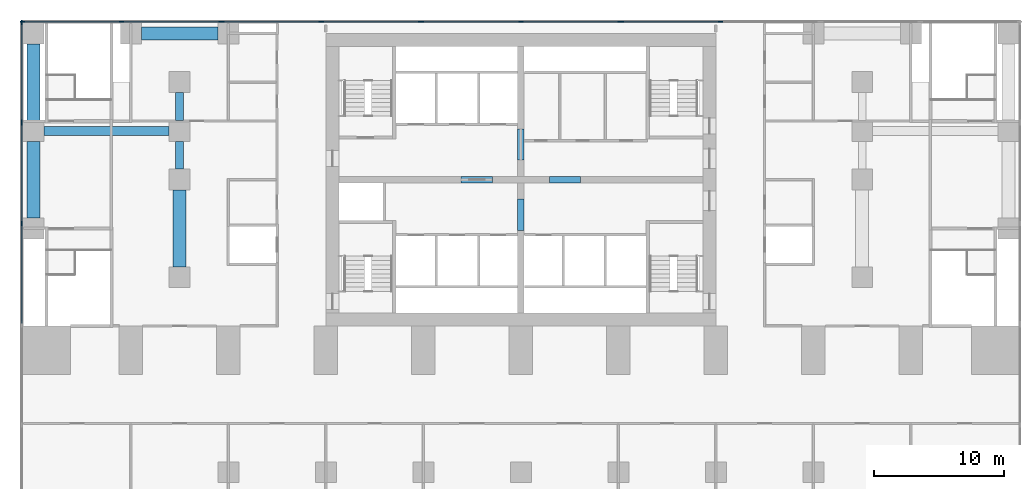
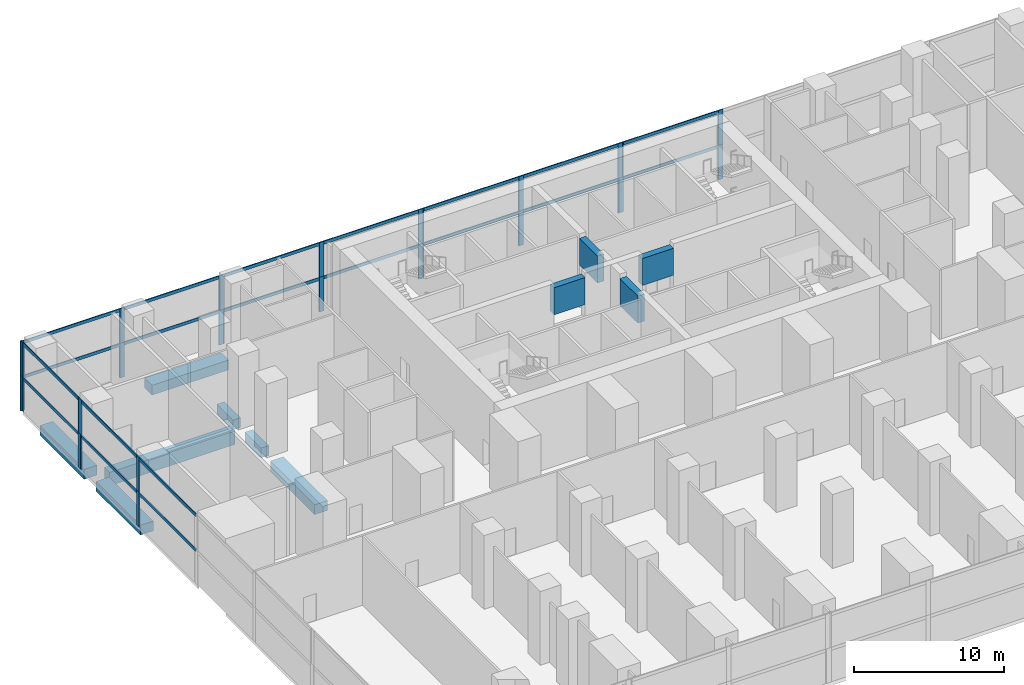
# One storey, part 4 of 14: 50 members, 11 beams, 12 elements without a shape of their own.
"""IFC4 building model written with IfcOpenShell, lengths in metres."""

from ifc_helpers import new_model, si_unit, direction, frame, origin, origin_2d, place, context, subcontext, project, spatial, rectangle, extrude, material, material_profile, profile_set, type_object, element, aggregate, save


model = new_model("IFC4")

# Units and contexts
model_context = context("Model", 3, precision=1e-05, world=origin(), true_north=direction((0.0, 1.0)))
body_context = subcontext(model_context, "Body", "Model", "MODEL_VIEW")
ifc_project = project(units=[si_unit("LENGTHUNIT", "METRE"), si_unit("AREAUNIT", "SQUARE_METRE"), si_unit("VOLUMEUNIT", "CUBIC_METRE"), si_unit("PLANEANGLEUNIT", "RADIAN"), si_unit("MASSUNIT", "GRAM", prefix="KILO")], contexts=[model_context])

# Site, building, storey
site_placement = place(None, origin())
site = spatial("IfcSite", under=ifc_project, at=site_placement, CompositionType="ELEMENT")
building_placement = place(site_placement, origin())
building = spatial("IfcBuilding", under=site, at=building_placement, Name="Pilkhan Gate Tower", CompositionType="ELEMENT")
storey_placement = place(building_placement, frame((0.0, 0.0, 24.0)))
storey = spatial("IfcBuildingStorey", under=building, at=storey_placement, Name="L03", CompositionType="ELEMENT", Elevation=24.0)

# Beams
ifc_material_1 = material(Name="Concrete C70/85", Category="concrete")
ifc_material_profile_1 = material_profile(ifc_material_1, rectangle(XDim=0.5, YDim=2.199951171875, at=origin_2d()), Name="RC 500x2200")
ifc_profile_set_1 = profile_set([ifc_material_profile_1], Name="Concrete C70/85")
beam_type_1 = type_object("IfcBeamType", Name="Coupling beam CB220 RC 500x2200 C70/85", PredefinedType="LINTEL", material=ifc_profile_set_1)
for number, where, z_axis, x_axis, name in (
    (1, (70.39990234375, 82.5, 4.550048828125), (1.0, 0.0, 0.0), (0.0, 1.0, 0.0), "Coupling beam 1 L03"),
    (2, (77.199951171875, 82.5, 4.550048828125), (1.0, 0.0, 0.0), (0.0, 1.0, 0.0), "Coupling beam 2 L03"),
):
    element("IfcBeam", number, at=place(storey_placement, frame(where, z_axis=z_axis, x_axis=x_axis)), inside=storey, type_object=beam_type_1, Name=name, PredefinedType="LINTEL", context=body_context, shape_type="SweptSolid", body=[
        extrude(rectangle(XDim=0.5, YDim=2.199951171875, at=origin_2d()), origin(), (0.0, 0.0, 1.0), 2.400146484375),
    ])
for number, where, z_axis, x_axis, name in (
    (3, (75.0, 78.60009765625, 4.550048828125), (0.0, 1.0, 0.0), (-1.0, 0.0, 0.0), "Coupling beam 3 L03"),
    (4, (75.0, 84.0, 4.550048828125), (0.0, 1.0, 0.0), (-1.0, 0.0, 0.0), "Coupling beam 4 L03"),
):
    element("IfcBeam", number, at=place(storey_placement, frame(where, z_axis=z_axis, x_axis=x_axis)), inside=storey, type_object=beam_type_1, Name=name, PredefinedType="LINTEL", context=body_context, shape_type="SweptSolid", body=[
        extrude(rectangle(XDim=0.5, YDim=2.199951171875, at=origin_2d()), origin(), (0.0, 0.0, 1.0), 2.39990234375),
    ])

# Curtain wall, members
ifc_material_2 = material(Name="Pale anodised aluminium, clear low-iron laminated glazing", Category="aluminium")
curtain_wall_type = type_object("IfcCurtainWallType", Name="Podium unitised curtain wall CW-P", PredefinedType="USERDEFINED", material=ifc_material_2)
curtain_wall_1_placement = place(storey_placement, origin())
curtain_wall_1 = element("IfcCurtainWall", 5, at=curtain_wall_1_placement, inside=storey, type_object=curtain_wall_type, Name="Podium unitised curtain wall CW-P L03 N", ObjectType="UNITISED CURTAIN WALL", PredefinedType="USERDEFINED")
ifc_material_3 = material(Name="Pale anodised aluminium", Category="aluminium")
ifc_material_profile_2 = material_profile(ifc_material_3, rectangle(XDim=0.080078125, YDim=0.35009765625, at=origin_2d()), Name="Mullion 350x80")
ifc_profile_set_2 = profile_set([ifc_material_profile_2], Name="Pale anodised aluminium")
member_type_1 = type_object("IfcMemberType", Name="Mullion CW-P 350x80", PredefinedType="MULLION", material=ifc_profile_set_2)
member_1_placement = place(storey_placement, frame((36.64501953125, 94.64501953125, 0.0), z_axis=(0.0, 0.0, 1.0), x_axis=(0.0, 1.0, 0.0)))
member_1 = element("IfcMember", 6, at=member_1_placement, type_object=member_type_1, Name="CW-P mullion 1", PredefinedType="MULLION", context=body_context, shape_type="SweptSolid", body=[
    extrude(rectangle(XDim=0.080078125, YDim=0.35009765625, at=origin_2d()), origin(), (0.0, 0.0, 1.0), 2.824951171875),
])
member_2_placement = place(storey_placement, frame((44.283935546875, 94.64501953125, 0.0), z_axis=(0.0, 0.0, 1.0), x_axis=(0.0, 1.0, 0.0)))
member_2 = element("IfcMember", 7, at=member_2_placement, type_object=member_type_1, Name="CW-P mullion 2", PredefinedType="MULLION", context=body_context, shape_type="SweptSolid", body=[
    extrude(rectangle(XDim=0.080078125, YDim=0.35009765625, at=origin_2d()), origin(), (0.0, 0.0, 1.0), 2.824951171875),
])
member_3_placement = place(storey_placement, frame((51.923095703125, 94.64501953125, 0.0), z_axis=(0.0, 0.0, 1.0), x_axis=(0.0, 1.0, 0.0)))
member_3 = element("IfcMember", 8, at=member_3_placement, type_object=member_type_1, Name="CW-P mullion 3", PredefinedType="MULLION", context=body_context, shape_type="SweptSolid", body=[
    extrude(rectangle(XDim=0.080078125, YDim=0.35009765625, at=origin_2d()), origin(), (0.0, 0.0, 1.0), 2.824951171875),
])

curtain_wall_2_placement = place(storey_placement, origin())
curtain_wall_2 = element("IfcCurtainWall", 9, at=curtain_wall_2_placement, inside=storey, type_object=curtain_wall_type, Name="Podium unitised curtain wall CW-P L03 N", ObjectType="UNITISED CURTAIN WALL", PredefinedType="USERDEFINED")
member_4_placement = place(storey_placement, frame((52.0029296875, 94.64501953125, 0.0), z_axis=(0.0, 0.0, 1.0), x_axis=(0.0, 1.0, 0.0)))
member_4 = element("IfcMember", 10, at=member_4_placement, type_object=member_type_1, Name="CW-P mullion 1", PredefinedType="MULLION", context=body_context, shape_type="SweptSolid", body=[
    extrude(rectangle(XDim=0.080078125, YDim=0.35009765625, at=origin_2d()), origin(), (0.0, 0.0, 1.0), 2.824951171875),
])
member_5_placement = place(storey_placement, frame((59.64208984375, 94.64501953125, 0.0), z_axis=(0.0, 0.0, 1.0), x_axis=(0.0, 1.0, 0.0)))
member_5 = element("IfcMember", 11, at=member_5_placement, type_object=member_type_1, Name="CW-P mullion 2", PredefinedType="MULLION", context=body_context, shape_type="SweptSolid", body=[
    extrude(rectangle(XDim=0.080078125, YDim=0.35009765625, at=origin_2d()), origin(), (0.0, 0.0, 1.0), 2.824951171875),
])
member_6_placement = place(storey_placement, frame((67.281005859375, 94.64501953125, 0.0), z_axis=(0.0, 0.0, 1.0), x_axis=(0.0, 1.0, 0.0)))
member_6 = element("IfcMember", 12, at=member_6_placement, type_object=member_type_1, Name="CW-P mullion 3", PredefinedType="MULLION", context=body_context, shape_type="SweptSolid", body=[
    extrude(rectangle(XDim=0.080078125, YDim=0.35009765625, at=origin_2d()), origin(), (0.0, 0.0, 1.0), 2.824951171875),
])

curtain_wall_3_placement = place(storey_placement, origin())
curtain_wall_3 = element("IfcCurtainWall", 13, at=curtain_wall_3_placement, inside=storey, type_object=curtain_wall_type, Name="Podium unitised curtain wall CW-P L03 N", ObjectType="UNITISED CURTAIN WALL", PredefinedType="USERDEFINED")
member_7_placement = place(storey_placement, frame((67.361083984375, 94.64501953125, 0.0), z_axis=(0.0, 0.0, 1.0), x_axis=(0.0, 1.0, 0.0)))
member_7 = element("IfcMember", 14, at=member_7_placement, type_object=member_type_1, Name="CW-P mullion 1", PredefinedType="MULLION", context=body_context, shape_type="SweptSolid", body=[
    extrude(rectangle(XDim=0.080078125, YDim=0.35009765625, at=origin_2d()), origin(), (0.0, 0.0, 1.0), 2.824951171875),
])
member_8_placement = place(storey_placement, frame((75.0, 94.64501953125, 0.0), z_axis=(0.0, 0.0, 1.0), x_axis=(0.0, 1.0, 0.0)))
member_8 = element("IfcMember", 15, at=member_8_placement, type_object=member_type_1, Name="CW-P mullion 2", PredefinedType="MULLION", context=body_context, shape_type="SweptSolid", body=[
    extrude(rectangle(XDim=0.080078125, YDim=0.35009765625, at=origin_2d()), origin(), (0.0, 0.0, 1.0), 2.824951171875),
])
member_9_placement = place(storey_placement, frame((82.638916015625, 94.64501953125, 0.0), z_axis=(0.0, 0.0, 1.0), x_axis=(0.0, 1.0, 0.0)))
member_9 = element("IfcMember", 16, at=member_9_placement, type_object=member_type_1, Name="CW-P mullion 3", PredefinedType="MULLION", context=body_context, shape_type="SweptSolid", body=[
    extrude(rectangle(XDim=0.080078125, YDim=0.35009765625, at=origin_2d()), origin(), (0.0, 0.0, 1.0), 2.824951171875),
])

curtain_wall_4_placement = place(storey_placement, origin())
curtain_wall_4 = element("IfcCurtainWall", 17, at=curtain_wall_4_placement, inside=storey, type_object=curtain_wall_type, Name="Podium unitised curtain wall CW-P L03 N", ObjectType="UNITISED CURTAIN WALL", PredefinedType="USERDEFINED")
member_10_placement = place(storey_placement, frame((82.718994140625, 94.64501953125, 0.0), z_axis=(0.0, 0.0, 1.0), x_axis=(0.0, 1.0, 0.0)))
member_10 = element("IfcMember", 18, at=member_10_placement, type_object=member_type_1, Name="CW-P mullion 1", PredefinedType="MULLION", context=body_context, shape_type="SweptSolid", body=[
    extrude(rectangle(XDim=0.080078125, YDim=0.35009765625, at=origin_2d()), origin(), (0.0, 0.0, 1.0), 2.824951171875),
])
member_11_placement = place(storey_placement, frame((90.35791015625, 94.64501953125, 0.0), z_axis=(0.0, 0.0, 1.0), x_axis=(0.0, 1.0, 0.0)))
member_11 = element("IfcMember", 19, at=member_11_placement, type_object=member_type_1, Name="CW-P mullion 2", PredefinedType="MULLION", context=body_context, shape_type="SweptSolid", body=[
    extrude(rectangle(XDim=0.080078125, YDim=0.35009765625, at=origin_2d()), origin(), (0.0, 0.0, 1.0), 2.824951171875),
])

curtain_wall_5_placement = place(storey_placement, origin())
curtain_wall_5 = element("IfcCurtainWall", 20, at=curtain_wall_5_placement, inside=storey, type_object=curtain_wall_type, Name="Podium unitised curtain wall CW-P L03 N", ObjectType="UNITISED CURTAIN WALL", PredefinedType="USERDEFINED")
member_12_placement = place(storey_placement, frame((36.64501953125, 94.64501953125, 2.824951171875), z_axis=(0.0, 0.0, 1.0), x_axis=(0.0, 1.0, 0.0)))
member_12 = element("IfcMember", 21, at=member_12_placement, type_object=member_type_1, Name="CW-P mullion 1", PredefinedType="MULLION", context=body_context, shape_type="SweptSolid", body=[
    extrude(rectangle(XDim=0.080078125, YDim=0.35009765625, at=origin_2d()), origin(), (0.0, 0.0, 1.0), 2.824951171875),
])
member_13_placement = place(storey_placement, frame((44.283935546875, 94.64501953125, 2.824951171875), z_axis=(0.0, 0.0, 1.0), x_axis=(0.0, 1.0, 0.0)))
member_13 = element("IfcMember", 22, at=member_13_placement, type_object=member_type_1, Name="CW-P mullion 2", PredefinedType="MULLION", context=body_context, shape_type="SweptSolid", body=[
    extrude(rectangle(XDim=0.080078125, YDim=0.35009765625, at=origin_2d()), origin(), (0.0, 0.0, 1.0), 2.824951171875),
])
member_14_placement = place(storey_placement, frame((51.923095703125, 94.64501953125, 2.824951171875), z_axis=(0.0, 0.0, 1.0), x_axis=(0.0, 1.0, 0.0)))
member_14 = element("IfcMember", 23, at=member_14_placement, type_object=member_type_1, Name="CW-P mullion 3", PredefinedType="MULLION", context=body_context, shape_type="SweptSolid", body=[
    extrude(rectangle(XDim=0.080078125, YDim=0.35009765625, at=origin_2d()), origin(), (0.0, 0.0, 1.0), 2.824951171875),
])

curtain_wall_6_placement = place(storey_placement, origin())
curtain_wall_6 = element("IfcCurtainWall", 24, at=curtain_wall_6_placement, inside=storey, type_object=curtain_wall_type, Name="Podium unitised curtain wall CW-P L03 N", ObjectType="UNITISED CURTAIN WALL", PredefinedType="USERDEFINED")
member_15_placement = place(storey_placement, frame((52.0029296875, 94.64501953125, 2.824951171875), z_axis=(0.0, 0.0, 1.0), x_axis=(0.0, 1.0, 0.0)))
member_15 = element("IfcMember", 25, at=member_15_placement, type_object=member_type_1, Name="CW-P mullion 1", PredefinedType="MULLION", context=body_context, shape_type="SweptSolid", body=[
    extrude(rectangle(XDim=0.080078125, YDim=0.35009765625, at=origin_2d()), origin(), (0.0, 0.0, 1.0), 2.824951171875),
])
member_16_placement = place(storey_placement, frame((59.64208984375, 94.64501953125, 2.824951171875), z_axis=(0.0, 0.0, 1.0), x_axis=(0.0, 1.0, 0.0)))
member_16 = element("IfcMember", 26, at=member_16_placement, type_object=member_type_1, Name="CW-P mullion 2", PredefinedType="MULLION", context=body_context, shape_type="SweptSolid", body=[
    extrude(rectangle(XDim=0.080078125, YDim=0.35009765625, at=origin_2d()), origin(), (0.0, 0.0, 1.0), 2.824951171875),
])
member_17_placement = place(storey_placement, frame((67.281005859375, 94.64501953125, 2.824951171875), z_axis=(0.0, 0.0, 1.0), x_axis=(0.0, 1.0, 0.0)))
member_17 = element("IfcMember", 27, at=member_17_placement, type_object=member_type_1, Name="CW-P mullion 3", PredefinedType="MULLION", context=body_context, shape_type="SweptSolid", body=[
    extrude(rectangle(XDim=0.080078125, YDim=0.35009765625, at=origin_2d()), origin(), (0.0, 0.0, 1.0), 2.824951171875),
])

curtain_wall_7_placement = place(storey_placement, origin())
curtain_wall_7 = element("IfcCurtainWall", 28, at=curtain_wall_7_placement, inside=storey, type_object=curtain_wall_type, Name="Podium unitised curtain wall CW-P L03 N", ObjectType="UNITISED CURTAIN WALL", PredefinedType="USERDEFINED")
member_18_placement = place(storey_placement, frame((67.361083984375, 94.64501953125, 2.824951171875), z_axis=(0.0, 0.0, 1.0), x_axis=(0.0, 1.0, 0.0)))
member_18 = element("IfcMember", 29, at=member_18_placement, type_object=member_type_1, Name="CW-P mullion 1", PredefinedType="MULLION", context=body_context, shape_type="SweptSolid", body=[
    extrude(rectangle(XDim=0.080078125, YDim=0.35009765625, at=origin_2d()), origin(), (0.0, 0.0, 1.0), 2.824951171875),
])
member_19_placement = place(storey_placement, frame((75.0, 94.64501953125, 2.824951171875), z_axis=(0.0, 0.0, 1.0), x_axis=(0.0, 1.0, 0.0)))
member_19 = element("IfcMember", 30, at=member_19_placement, type_object=member_type_1, Name="CW-P mullion 2", PredefinedType="MULLION", context=body_context, shape_type="SweptSolid", body=[
    extrude(rectangle(XDim=0.080078125, YDim=0.35009765625, at=origin_2d()), origin(), (0.0, 0.0, 1.0), 2.824951171875),
])
member_20_placement = place(storey_placement, frame((82.638916015625, 94.64501953125, 2.824951171875), z_axis=(0.0, 0.0, 1.0), x_axis=(0.0, 1.0, 0.0)))
member_20 = element("IfcMember", 31, at=member_20_placement, type_object=member_type_1, Name="CW-P mullion 3", PredefinedType="MULLION", context=body_context, shape_type="SweptSolid", body=[
    extrude(rectangle(XDim=0.080078125, YDim=0.35009765625, at=origin_2d()), origin(), (0.0, 0.0, 1.0), 2.824951171875),
])

curtain_wall_8_placement = place(storey_placement, origin())
curtain_wall_8 = element("IfcCurtainWall", 32, at=curtain_wall_8_placement, inside=storey, type_object=curtain_wall_type, Name="Podium unitised curtain wall CW-P L03 N", ObjectType="UNITISED CURTAIN WALL", PredefinedType="USERDEFINED")
member_21_placement = place(storey_placement, frame((82.718994140625, 94.64501953125, 2.824951171875), z_axis=(0.0, 0.0, 1.0), x_axis=(0.0, 1.0, 0.0)))
member_21 = element("IfcMember", 33, at=member_21_placement, type_object=member_type_1, Name="CW-P mullion 1", PredefinedType="MULLION", context=body_context, shape_type="SweptSolid", body=[
    extrude(rectangle(XDim=0.080078125, YDim=0.35009765625, at=origin_2d()), origin(), (0.0, 0.0, 1.0), 2.824951171875),
])
member_22_placement = place(storey_placement, frame((90.35791015625, 94.64501953125, 2.824951171875), z_axis=(0.0, 0.0, 1.0), x_axis=(0.0, 1.0, 0.0)))
member_22 = element("IfcMember", 34, at=member_22_placement, type_object=member_type_1, Name="CW-P mullion 2", PredefinedType="MULLION", context=body_context, shape_type="SweptSolid", body=[
    extrude(rectangle(XDim=0.080078125, YDim=0.35009765625, at=origin_2d()), origin(), (0.0, 0.0, 1.0), 2.824951171875),
])

curtain_wall_9_placement = place(storey_placement, origin())
curtain_wall_9 = element("IfcCurtainWall", 35, at=curtain_wall_9_placement, inside=storey, type_object=curtain_wall_type, Name="Podium unitised curtain wall CW-P L03 W", ObjectType="UNITISED CURTAIN WALL", PredefinedType="USERDEFINED")
member_23_placement = place(storey_placement, frame((36.60498046875, 79.133544921875, 0.0), z_axis=(0.0, 0.0, 1.0), x_axis=(-1.0, 0.0, 0.0)))
member_23 = element("IfcMember", 36, at=member_23_placement, type_object=member_type_1, Name="CW-P mullion 2", PredefinedType="MULLION", context=body_context, shape_type="SweptSolid", body=[
    extrude(rectangle(XDim=0.080078125, YDim=0.35009765625, at=origin_2d()), origin(), (0.0, 0.0, 1.0), 2.824951171875),
])
member_24_placement = place(storey_placement, frame((36.60498046875, 86.849365234375, 0.0), z_axis=(0.0, 0.0, 1.0), x_axis=(-1.0, 0.0, 0.0)))
member_24 = element("IfcMember", 37, at=member_24_placement, type_object=member_type_1, Name="CW-P mullion 3", PredefinedType="MULLION", context=body_context, shape_type="SweptSolid", body=[
    extrude(rectangle(XDim=0.080078125, YDim=0.35009765625, at=origin_2d()), origin(), (0.0, 0.0, 1.0), 2.824951171875),
])

curtain_wall_10_placement = place(storey_placement, origin())
curtain_wall_10 = element("IfcCurtainWall", 38, at=curtain_wall_10_placement, inside=storey, type_object=curtain_wall_type, Name="Podium unitised curtain wall CW-P L03 W", ObjectType="UNITISED CURTAIN WALL", PredefinedType="USERDEFINED")
member_25_placement = place(storey_placement, frame((36.60498046875, 86.92919921875, 0.0), z_axis=(0.0, 0.0, 1.0), x_axis=(-1.0, 0.0, 0.0)))
member_25 = element("IfcMember", 39, at=member_25_placement, type_object=member_type_1, Name="CW-P mullion 1", PredefinedType="MULLION", context=body_context, shape_type="SweptSolid", body=[
    extrude(rectangle(XDim=0.080078125, YDim=0.35009765625, at=origin_2d()), origin(), (0.0, 0.0, 1.0), 2.824951171875),
])
member_26_placement = place(storey_placement, frame((36.60498046875, 94.60498046875, 0.0), z_axis=(0.0, 0.0, 1.0), x_axis=(-1.0, 0.0, 0.0)))
member_26 = element("IfcMember", 40, at=member_26_placement, type_object=member_type_1, Name="CW-P mullion 2", PredefinedType="MULLION", context=body_context, shape_type="SweptSolid", body=[
    extrude(rectangle(XDim=0.080078125, YDim=0.35009765625, at=origin_2d()), origin(), (0.0, 0.0, 1.0), 2.824951171875),
])

curtain_wall_11_placement = place(storey_placement, origin())
curtain_wall_11 = element("IfcCurtainWall", 41, at=curtain_wall_11_placement, inside=storey, type_object=curtain_wall_type, Name="Podium unitised curtain wall CW-P L03 W", ObjectType="UNITISED CURTAIN WALL", PredefinedType="USERDEFINED")
member_27_placement = place(storey_placement, frame((36.60498046875, 79.133544921875, 2.824951171875), z_axis=(0.0, 0.0, 1.0), x_axis=(-1.0, 0.0, 0.0)))
member_27 = element("IfcMember", 42, at=member_27_placement, type_object=member_type_1, Name="CW-P mullion 2", PredefinedType="MULLION", context=body_context, shape_type="SweptSolid", body=[
    extrude(rectangle(XDim=0.080078125, YDim=0.35009765625, at=origin_2d()), origin(), (0.0, 0.0, 1.0), 2.824951171875),
])
member_28_placement = place(storey_placement, frame((36.60498046875, 86.849365234375, 2.824951171875), z_axis=(0.0, 0.0, 1.0), x_axis=(-1.0, 0.0, 0.0)))
member_28 = element("IfcMember", 43, at=member_28_placement, type_object=member_type_1, Name="CW-P mullion 3", PredefinedType="MULLION", context=body_context, shape_type="SweptSolid", body=[
    extrude(rectangle(XDim=0.080078125, YDim=0.35009765625, at=origin_2d()), origin(), (0.0, 0.0, 1.0), 2.824951171875),
])

curtain_wall_12_placement = place(storey_placement, origin())
curtain_wall_12 = element("IfcCurtainWall", 44, at=curtain_wall_12_placement, inside=storey, type_object=curtain_wall_type, Name="Podium unitised curtain wall CW-P L03 W", ObjectType="UNITISED CURTAIN WALL", PredefinedType="USERDEFINED")
member_29_placement = place(storey_placement, frame((36.60498046875, 86.92919921875, 2.824951171875), z_axis=(0.0, 0.0, 1.0), x_axis=(-1.0, 0.0, 0.0)))
member_29 = element("IfcMember", 45, at=member_29_placement, type_object=member_type_1, Name="CW-P mullion 1", PredefinedType="MULLION", context=body_context, shape_type="SweptSolid", body=[
    extrude(rectangle(XDim=0.080078125, YDim=0.35009765625, at=origin_2d()), origin(), (0.0, 0.0, 1.0), 2.824951171875),
])
member_30_placement = place(storey_placement, frame((36.60498046875, 94.60498046875, 2.824951171875), z_axis=(0.0, 0.0, 1.0), x_axis=(-1.0, 0.0, 0.0)))
member_30 = element("IfcMember", 46, at=member_30_placement, type_object=member_type_1, Name="CW-P mullion 2", PredefinedType="MULLION", context=body_context, shape_type="SweptSolid", body=[
    extrude(rectangle(XDim=0.080078125, YDim=0.35009765625, at=origin_2d()), origin(), (0.0, 0.0, 1.0), 2.824951171875),
])

# Beams
ifc_material_4 = material(Name="Concrete C50/60", Category="concrete")
ifc_material_profile_3 = material_profile(ifc_material_4, rectangle(XDim=0.699951171875, YDim=1.10009765625, at=origin_2d()), Name="RC 700x1100")
ifc_profile_set_3 = profile_set([ifc_material_profile_3], Name="Concrete C50/60")
beam_type_2 = type_object("IfcBeamType", Name="Podium girder PG110 RC 700x1100 C50/60", PredefinedType="BEAM", material=ifc_profile_set_3)
beam_placement = place(storey_placement, frame((38.300048828125, 86.25, -0.89990234375), z_axis=(1.0, 0.0, 0.0), x_axis=(0.0, 1.0, 0.0)))
element("IfcBeam", 47, at=beam_placement, inside=storey, type_object=beam_type_2, Name="Podium beam 3 L03", PredefinedType="BEAM", context=body_context, shape_type="SweptSolid", body=[
    extrude(rectangle(XDim=0.699951171875, YDim=1.10009765625, at=origin_2d()), origin(), (0.0, 0.0, 1.0), 9.64990234375),
])
ifc_material_profile_4 = material_profile(ifc_material_4, rectangle(XDim=1.0, YDim=0.800048828125, at=origin_2d()), Name="RC 1000x800")
ifc_profile_set_4 = profile_set([ifc_material_profile_4], Name="Concrete C50/60")
beam_type_3 = type_object("IfcBeamType", Name="Podium joist PJ80 RC 1000x800 C50/60", PredefinedType="JOIST", material=ifc_profile_set_4)
for number, where, z_axis, x_axis, name in (
    (48, (37.5, 79.550048828125, -0.75), (0.0, 1.0, 0.0), (-1.0, 0.0, 0.0), "Podium beam 1 L03"),
    (49, (37.5, 87.050048828125, -0.75), (0.0, 1.0, 0.0), (-1.0, 0.0, 0.0), "Podium beam 2 L03"),
    (50, (45.800048828125, 93.75, -0.75), (1.0, 0.0, 0.0), (0.0, 1.0, 0.0), "Podium beam 4 L03"),
    (51, (48.75, 75.800048828125, -0.75), (0.0, 1.0, 0.0), (-1.0, 0.0, 0.0), "Podium beam 5 L03"),
):
    element("IfcBeam", number, at=place(storey_placement, frame(where, z_axis=z_axis, x_axis=x_axis)), inside=storey, type_object=beam_type_3, Name=name, PredefinedType="JOIST", context=body_context, shape_type="SweptSolid", body=[
        extrude(rectangle(XDim=1.0, YDim=0.800048828125, at=origin_2d()), origin(), (0.0, 0.0, 1.0), 5.89990234375),
    ])
ifc_material_profile_5 = material_profile(ifc_material_4, rectangle(XDim=0.60009765625, YDim=0.800048828125, at=origin_2d()), Name="RC 600x800")
ifc_profile_set_5 = profile_set([ifc_material_profile_5], Name="Concrete C50/60")
beam_type_4 = type_object("IfcBeamType", Name="Podium joist PJ81 RC 600x800 C50/60", PredefinedType="JOIST", material=ifc_profile_set_5)
for number, where, z_axis, x_axis, name in (
    (52, (48.75, 83.300048828125, -0.75), (0.0, 1.0, 0.0), (-1.0, 0.0, 0.0), "Podium beam 6 L03"),
    (53, (48.75, 87.050048828125, -0.75), (0.0, 1.0, 0.0), (-1.0, 0.0, 0.0), "Podium beam 7 L03"),
):
    element("IfcBeam", number, at=place(storey_placement, frame(where, z_axis=z_axis, x_axis=x_axis)), inside=storey, type_object=beam_type_4, Name=name, PredefinedType="JOIST", context=body_context, shape_type="SweptSolid", body=[
        extrude(rectangle(XDim=0.60009765625, YDim=0.800048828125, at=origin_2d()), origin(), (0.0, 0.0, 1.0), 2.14990234375),
    ])

# Member
ifc_material_profile_6 = material_profile(ifc_material_3, rectangle(XDim=0.080078125, YDim=0.25, at=origin_2d()), Name="Transom 250x80")
ifc_profile_set_6 = profile_set([ifc_material_profile_6], Name="Pale anodised aluminium")
member_type_2 = type_object("IfcMemberType", Name="Transom CW-P 250x80", PredefinedType="USERDEFINED", material=ifc_profile_set_6)
member_31_placement = place(storey_placement, frame((36.68505859375, 94.64501953125, 2.699951171875), z_axis=(1.0, 0.0, 0.0), x_axis=(0.0, 1.0, 0.0)))
member_31 = element("IfcMember", 54, at=member_31_placement, type_object=member_type_2, Name="CW-P transom 1", ObjectType="TRANSOM", PredefinedType="USERDEFINED", context=body_context, shape_type="SweptSolid", body=[
    extrude(rectangle(XDim=0.080078125, YDim=0.25, at=origin_2d()), origin(), (0.0, 0.0, 1.0), 7.558837890625),
])

member_32_placement = place(storey_placement, frame((44.323974609375, 94.64501953125, 2.699951171875), z_axis=(1.0, 0.0, 0.0), x_axis=(0.0, 1.0, 0.0)))
member_32 = element("IfcMember", 55, at=member_32_placement, type_object=member_type_2, Name="CW-P transom 2", ObjectType="TRANSOM", PredefinedType="USERDEFINED", context=body_context, shape_type="SweptSolid", body=[
    extrude(rectangle(XDim=0.080078125, YDim=0.25, at=origin_2d()), origin(), (0.0, 0.0, 1.0), 7.55908203125),
])

aggregate(curtain_wall_1, [member_1, member_2, member_3, member_31, member_32])

member_33_placement = place(storey_placement, frame((52.04296875, 94.64501953125, 2.699951171875), z_axis=(1.0, 0.0, 0.0), x_axis=(0.0, 1.0, 0.0)))
member_33 = element("IfcMember", 56, at=member_33_placement, type_object=member_type_2, Name="CW-P transom 1", ObjectType="TRANSOM", PredefinedType="USERDEFINED", context=body_context, shape_type="SweptSolid", body=[
    extrude(rectangle(XDim=0.080078125, YDim=0.25, at=origin_2d()), origin(), (0.0, 0.0, 1.0), 7.55908203125),
])

member_34_placement = place(storey_placement, frame((59.681884765625, 94.64501953125, 2.699951171875), z_axis=(1.0, 0.0, 0.0), x_axis=(0.0, 1.0, 0.0)))
member_34 = element("IfcMember", 57, at=member_34_placement, type_object=member_type_2, Name="CW-P transom 2", ObjectType="TRANSOM", PredefinedType="USERDEFINED", context=body_context, shape_type="SweptSolid", body=[
    extrude(rectangle(XDim=0.080078125, YDim=0.25, at=origin_2d()), origin(), (0.0, 0.0, 1.0), 7.55908203125),
])

aggregate(curtain_wall_2, [member_4, member_5, member_6, member_33, member_34])

member_35_placement = place(storey_placement, frame((67.40087890625, 94.64501953125, 2.699951171875), z_axis=(1.0, 0.0, 0.0), x_axis=(0.0, 1.0, 0.0)))
member_35 = element("IfcMember", 58, at=member_35_placement, type_object=member_type_2, Name="CW-P transom 1", ObjectType="TRANSOM", PredefinedType="USERDEFINED", context=body_context, shape_type="SweptSolid", body=[
    extrude(rectangle(XDim=0.080078125, YDim=0.25, at=origin_2d()), origin(), (0.0, 0.0, 1.0), 7.55908203125),
])

member_36_placement = place(storey_placement, frame((75.0400390625, 94.64501953125, 2.699951171875), z_axis=(1.0, 0.0, 0.0), x_axis=(0.0, 1.0, 0.0)))
member_36 = element("IfcMember", 59, at=member_36_placement, type_object=member_type_2, Name="CW-P transom 2", ObjectType="TRANSOM", PredefinedType="USERDEFINED", context=body_context, shape_type="SweptSolid", body=[
    extrude(rectangle(XDim=0.080078125, YDim=0.25, at=origin_2d()), origin(), (0.0, 0.0, 1.0), 7.55908203125),
])

aggregate(curtain_wall_3, [member_7, member_8, member_9, member_35, member_36])

member_37_placement = place(storey_placement, frame((82.759033203125, 94.64501953125, 2.699951171875), z_axis=(1.0, 0.0, 0.0), x_axis=(0.0, 1.0, 0.0)))
member_37 = element("IfcMember", 60, at=member_37_placement, type_object=member_type_2, Name="CW-P transom 1", ObjectType="TRANSOM", PredefinedType="USERDEFINED", context=body_context, shape_type="SweptSolid", body=[
    extrude(rectangle(XDim=0.080078125, YDim=0.25, at=origin_2d()), origin(), (0.0, 0.0, 1.0), 7.55908203125),
])

aggregate(curtain_wall_4, [member_10, member_11, member_37])

member_38_placement = place(storey_placement, frame((36.68505859375, 94.64501953125, 5.52490234375), z_axis=(1.0, 0.0, 0.0), x_axis=(0.0, 1.0, 0.0)))
member_38 = element("IfcMember", 61, at=member_38_placement, type_object=member_type_2, Name="CW-P transom 1", ObjectType="TRANSOM", PredefinedType="USERDEFINED", context=body_context, shape_type="SweptSolid", body=[
    extrude(rectangle(XDim=0.080078125, YDim=0.25, at=origin_2d()), origin(), (0.0, 0.0, 1.0), 7.558837890625),
])

member_39_placement = place(storey_placement, frame((44.323974609375, 94.64501953125, 5.52490234375), z_axis=(1.0, 0.0, 0.0), x_axis=(0.0, 1.0, 0.0)))
member_39 = element("IfcMember", 62, at=member_39_placement, type_object=member_type_2, Name="CW-P transom 2", ObjectType="TRANSOM", PredefinedType="USERDEFINED", context=body_context, shape_type="SweptSolid", body=[
    extrude(rectangle(XDim=0.080078125, YDim=0.25, at=origin_2d()), origin(), (0.0, 0.0, 1.0), 7.55908203125),
])

aggregate(curtain_wall_5, [member_12, member_13, member_14, member_38, member_39])

member_40_placement = place(storey_placement, frame((52.04296875, 94.64501953125, 5.52490234375), z_axis=(1.0, 0.0, 0.0), x_axis=(0.0, 1.0, 0.0)))
member_40 = element("IfcMember", 63, at=member_40_placement, type_object=member_type_2, Name="CW-P transom 1", ObjectType="TRANSOM", PredefinedType="USERDEFINED", context=body_context, shape_type="SweptSolid", body=[
    extrude(rectangle(XDim=0.080078125, YDim=0.25, at=origin_2d()), origin(), (0.0, 0.0, 1.0), 7.55908203125),
])

member_41_placement = place(storey_placement, frame((59.681884765625, 94.64501953125, 5.52490234375), z_axis=(1.0, 0.0, 0.0), x_axis=(0.0, 1.0, 0.0)))
member_41 = element("IfcMember", 64, at=member_41_placement, type_object=member_type_2, Name="CW-P transom 2", ObjectType="TRANSOM", PredefinedType="USERDEFINED", context=body_context, shape_type="SweptSolid", body=[
    extrude(rectangle(XDim=0.080078125, YDim=0.25, at=origin_2d()), origin(), (0.0, 0.0, 1.0), 7.55908203125),
])

aggregate(curtain_wall_6, [member_15, member_16, member_17, member_40, member_41])

member_42_placement = place(storey_placement, frame((67.40087890625, 94.64501953125, 5.52490234375), z_axis=(1.0, 0.0, 0.0), x_axis=(0.0, 1.0, 0.0)))
member_42 = element("IfcMember", 65, at=member_42_placement, type_object=member_type_2, Name="CW-P transom 1", ObjectType="TRANSOM", PredefinedType="USERDEFINED", context=body_context, shape_type="SweptSolid", body=[
    extrude(rectangle(XDim=0.080078125, YDim=0.25, at=origin_2d()), origin(), (0.0, 0.0, 1.0), 7.55908203125),
])

member_43_placement = place(storey_placement, frame((75.0400390625, 94.64501953125, 5.52490234375), z_axis=(1.0, 0.0, 0.0), x_axis=(0.0, 1.0, 0.0)))
member_43 = element("IfcMember", 66, at=member_43_placement, type_object=member_type_2, Name="CW-P transom 2", ObjectType="TRANSOM", PredefinedType="USERDEFINED", context=body_context, shape_type="SweptSolid", body=[
    extrude(rectangle(XDim=0.080078125, YDim=0.25, at=origin_2d()), origin(), (0.0, 0.0, 1.0), 7.55908203125),
])

aggregate(curtain_wall_7, [member_18, member_19, member_20, member_42, member_43])

member_44_placement = place(storey_placement, frame((82.759033203125, 94.64501953125, 5.52490234375), z_axis=(1.0, 0.0, 0.0), x_axis=(0.0, 1.0, 0.0)))
member_44 = element("IfcMember", 67, at=member_44_placement, type_object=member_type_2, Name="CW-P transom 1", ObjectType="TRANSOM", PredefinedType="USERDEFINED", context=body_context, shape_type="SweptSolid", body=[
    extrude(rectangle(XDim=0.080078125, YDim=0.25, at=origin_2d()), origin(), (0.0, 0.0, 1.0), 7.55908203125),
])

aggregate(curtain_wall_8, [member_21, member_22, member_44])

member_45_placement = place(storey_placement, frame((36.60498046875, 71.457763671875, 2.699951171875), z_axis=(0.0, 1.0, 0.0), x_axis=(-1.0, 0.0, 0.0)))
member_45 = element("IfcMember", 68, at=member_45_placement, type_object=member_type_2, Name="CW-P transom 1", ObjectType="TRANSOM", PredefinedType="USERDEFINED", context=body_context, shape_type="SweptSolid", body=[
    extrude(rectangle(XDim=0.080078125, YDim=0.25, at=origin_2d()), origin(), (0.0, 0.0, 1.0), 7.6357421875),
])

member_46_placement = place(storey_placement, frame((36.60498046875, 79.173583984375, 2.699951171875), z_axis=(0.0, 1.0, 0.0), x_axis=(-1.0, 0.0, 0.0)))
member_46 = element("IfcMember", 69, at=member_46_placement, type_object=member_type_2, Name="CW-P transom 2", ObjectType="TRANSOM", PredefinedType="USERDEFINED", context=body_context, shape_type="SweptSolid", body=[
    extrude(rectangle(XDim=0.080078125, YDim=0.25, at=origin_2d()), origin(), (0.0, 0.0, 1.0), 7.6357421875),
])

aggregate(curtain_wall_9, [member_23, member_24, member_45, member_46])

member_47_placement = place(storey_placement, frame((36.60498046875, 86.96923828125, 2.699951171875), z_axis=(0.0, 1.0, 0.0), x_axis=(-1.0, 0.0, 0.0)))
member_47 = element("IfcMember", 70, at=member_47_placement, type_object=member_type_2, Name="CW-P transom 1", ObjectType="TRANSOM", PredefinedType="USERDEFINED", context=body_context, shape_type="SweptSolid", body=[
    extrude(rectangle(XDim=0.080078125, YDim=0.25, at=origin_2d()), origin(), (0.0, 0.0, 1.0), 7.595703125),
])

aggregate(curtain_wall_10, [member_25, member_26, member_47])

member_48_placement = place(storey_placement, frame((36.60498046875, 71.457763671875, 5.52490234375), z_axis=(0.0, 1.0, 0.0), x_axis=(-1.0, 0.0, 0.0)))
member_48 = element("IfcMember", 71, at=member_48_placement, type_object=member_type_2, Name="CW-P transom 1", ObjectType="TRANSOM", PredefinedType="USERDEFINED", context=body_context, shape_type="SweptSolid", body=[
    extrude(rectangle(XDim=0.080078125, YDim=0.25, at=origin_2d()), origin(), (0.0, 0.0, 1.0), 7.6357421875),
])

member_49_placement = place(storey_placement, frame((36.60498046875, 79.173583984375, 5.52490234375), z_axis=(0.0, 1.0, 0.0), x_axis=(-1.0, 0.0, 0.0)))
member_49 = element("IfcMember", 72, at=member_49_placement, type_object=member_type_2, Name="CW-P transom 2", ObjectType="TRANSOM", PredefinedType="USERDEFINED", context=body_context, shape_type="SweptSolid", body=[
    extrude(rectangle(XDim=0.080078125, YDim=0.25, at=origin_2d()), origin(), (0.0, 0.0, 1.0), 7.6357421875),
])

aggregate(curtain_wall_11, [member_27, member_28, member_48, member_49])

member_50_placement = place(storey_placement, frame((36.60498046875, 86.96923828125, 5.52490234375), z_axis=(0.0, 1.0, 0.0), x_axis=(-1.0, 0.0, 0.0)))
member_50 = element("IfcMember", 73, at=member_50_placement, type_object=member_type_2, Name="CW-P transom 1", ObjectType="TRANSOM", PredefinedType="USERDEFINED", context=body_context, shape_type="SweptSolid", body=[
    extrude(rectangle(XDim=0.080078125, YDim=0.25, at=origin_2d()), origin(), (0.0, 0.0, 1.0), 7.595703125),
])

aggregate(curtain_wall_12, [member_29, member_30, member_50])

save(model, "model.ifc")
